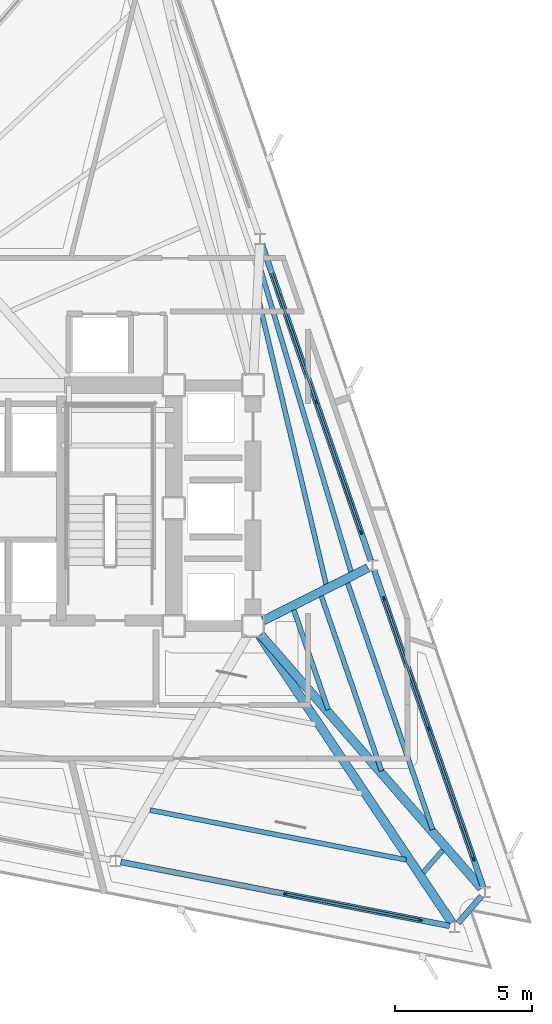
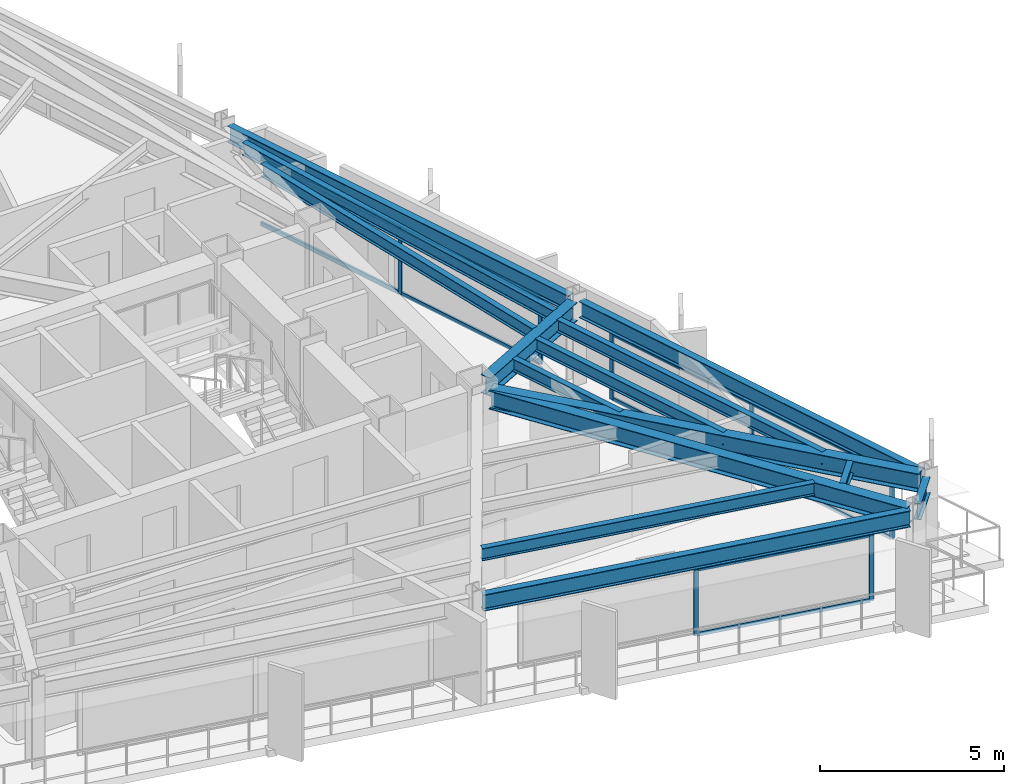
# One storey, part 6 of 13: 17 members, 14 beams, 3 elements without a shape of their own.
"""IFC4 building model written with IfcOpenShell, lengths in metres."""

from ifc_helpers import new_model, si_unit, direction, frame, origin, origin_2d, place, context, subcontext, project, spatial, rectangle, i_section, extrude, material, layer, layer_set, material_profile, profile_set, type_object, element, aggregate, save


model = new_model("IFC4")

# Units and contexts
model_context = context("Model", 3, precision=1e-05, world=origin(), true_north=direction((0.0, 1.0)))
body_context = subcontext(model_context, "Body", "Model", "MODEL_VIEW")
ifc_project = project(units=[si_unit("LENGTHUNIT", "METRE"), si_unit("AREAUNIT", "SQUARE_METRE"), si_unit("VOLUMEUNIT", "CUBIC_METRE"), si_unit("PLANEANGLEUNIT", "RADIAN"), si_unit("MASSUNIT", "GRAM", prefix="KILO")], contexts=[model_context])

# Site, building, storey
site_placement = place(None, origin())
site = spatial("IfcSite", under=ifc_project, at=site_placement, CompositionType="ELEMENT")
building_placement = place(site_placement, origin())
building = spatial("IfcBuilding", under=site, at=building_placement, Name="Rocaltana Carrier Exchange", CompositionType="ELEMENT")
storey_placement = place(building_placement, frame((0.0, 0.0, 153.280029296875)))
storey = spatial("IfcBuildingStorey", under=building, at=storey_placement, Name="L48", CompositionType="ELEMENT", Elevation=153.280029296875)

# Curtain wall, members
ifc_material_1 = material(Name="Aluminium 6063-T6", Category="aluminium")
ifc_layer = layer(ifc_material_1, 0.135009765625)
ifc_layer_set = layer_set([ifc_layer], Name="Aluminium 6063-T6")
curtain_wall_type = type_object("IfcCurtainWallType", Name="Upper-Mid Acoustic Curtain Wall CW-04", PredefinedType="NOTDEFINED", material=ifc_layer_set)
curtain_wall_1_placement = place(storey_placement, origin())
curtain_wall_1 = element("IfcCurtainWall", 1, at=curtain_wall_1_placement, inside=storey, type_object=curtain_wall_type, Name="L48 CW-04 Run CW-L48-F1S1", PredefinedType="NOTDEFINED")
ifc_material_2 = material(Name="Aluminium 6063-T6", Category="aluminium")
ifc_material_profile_1 = material_profile(ifc_material_2, rectangle(XDim=0.06494140625, YDim=0.135009765625, at=origin_2d()), Name="AL-65X135")
ifc_profile_set_1 = profile_set([ifc_material_profile_1], Name="Aluminium 6063-T6")
member_type_1 = type_object("IfcMemberType", Name="CW-04 Mullion AL-65X135", PredefinedType="MULLION", material=ifc_profile_set_1)
member_1_placement = place(storey_placement, frame((17.016357421875, -12.826171875, 0.0), z_axis=(0.0, 0.0, 1.0), x_axis=(-0.945521800517, -0.325558788464, 0.0)))
member_1 = element("IfcMember", 2, at=member_1_placement, type_object=member_type_1, Name="CW-04 mullion 1", PredefinedType="MULLION", context=body_context, shape_type="SweptSolid", body=[
    extrude(rectangle(XDim=0.06494140625, YDim=0.135009765625, at=origin_2d()), origin(), (0.0, 0.0, 1.0), 2.218017578125),
])
member_2_placement = place(storey_placement, frame((15.37744140625, -8.06640625, 0.0), z_axis=(0.0, 0.0, 1.0), x_axis=(-0.945521800517, -0.325558788464, 0.0)))
member_2 = element("IfcMember", 3, at=member_2_placement, type_object=member_type_1, Name="CW-04 mullion 2", PredefinedType="MULLION", context=body_context, shape_type="SweptSolid", body=[
    extrude(rectangle(XDim=0.06494140625, YDim=0.135009765625, at=origin_2d()), origin(), (0.0, 0.0, 1.0), 2.218017578125),
])
member_3_placement = place(storey_placement, frame((13.738525390625, -3.306396484375, 0.0), z_axis=(0.0, 0.0, 1.0), x_axis=(-0.945521800517, -0.325558788464, 0.0)))
member_3 = element("IfcMember", 4, at=member_3_placement, type_object=member_type_1, Name="CW-04 mullion 3", PredefinedType="MULLION", context=body_context, shape_type="SweptSolid", body=[
    extrude(rectangle(XDim=0.06494140625, YDim=0.135009765625, at=origin_2d()), origin(), (0.0, 0.0, 1.0), 2.218017578125),
])

curtain_wall_2_placement = place(storey_placement, origin())
curtain_wall_2 = element("IfcCurtainWall", 5, at=curtain_wall_2_placement, inside=storey, type_object=curtain_wall_type, Name="L48 CW-04 Run CW-L48-F1S2", PredefinedType="NOTDEFINED")
member_4_placement = place(storey_placement, frame((12.9033203125, -0.881103515625, 0.0), z_axis=(0.0, 0.0, 1.0), x_axis=(-0.945520754562, -0.32556182622, 0.0)))
member_4 = element("IfcMember", 6, at=member_4_placement, type_object=member_type_1, Name="CW-04 mullion 1", PredefinedType="MULLION", context=body_context, shape_type="SweptSolid", body=[
    extrude(rectangle(XDim=0.06494140625, YDim=0.135009765625, at=origin_2d()), origin(), (0.0, 0.0, 1.0), 2.218017578125),
])
member_5_placement = place(storey_placement, frame((11.264404296875, 3.878662109375, 0.0), z_axis=(0.0, 0.0, 1.0), x_axis=(-0.945520754562, -0.32556182622, 0.0)))
member_5 = element("IfcMember", 7, at=member_5_placement, type_object=member_type_1, Name="CW-04 mullion 2", PredefinedType="MULLION", context=body_context, shape_type="SweptSolid", body=[
    extrude(rectangle(XDim=0.06494140625, YDim=0.135009765625, at=origin_2d()), origin(), (0.0, 0.0, 1.0), 2.218017578125),
])

curtain_wall_3_placement = place(storey_placement, origin())
curtain_wall_3 = element("IfcCurtainWall", 8, at=curtain_wall_3_placement, inside=storey, type_object=curtain_wall_type, Name="L48 CW-04 Run CW-L48-F3S3", PredefinedType="NOTDEFINED")
member_6_placement = place(storey_placement, frame((10.1279296875, -14.105224609375, 0.0), z_axis=(0.0, 0.0, 1.0), x_axis=(0.190805209699, 0.981627919301, 0.0)))
member_6 = element("IfcMember", 9, at=member_6_placement, type_object=member_type_1, Name="CW-04 mullion 2", PredefinedType="MULLION", context=body_context, shape_type="SweptSolid", body=[
    extrude(rectangle(XDim=0.06494140625, YDim=0.135009765625, at=origin_2d()), origin(), (0.0, 0.0, 1.0), 2.218017578125),
])
member_7_placement = place(storey_placement, frame((15.069580078125, -15.06591796875, 0.0), z_axis=(0.0, 0.0, 1.0), x_axis=(0.190805209699, 0.981627919301, 0.0)))
member_7 = element("IfcMember", 10, at=member_7_placement, type_object=member_type_1, Name="CW-04 mullion 3", PredefinedType="MULLION", context=body_context, shape_type="SweptSolid", body=[
    extrude(rectangle(XDim=0.06494140625, YDim=0.135009765625, at=origin_2d()), origin(), (0.0, 0.0, 1.0), 2.218017578125),
])

# Member
ifc_material_3 = material(Name="Aluminium 6063-T6", Category="aluminium")
ifc_material_profile_2 = material_profile(ifc_material_3, rectangle(XDim=0.06494140625, YDim=0.135009765625, at=origin_2d()), Name="AL-65X135")
ifc_profile_set_2 = profile_set([ifc_material_profile_2], Name="Aluminium 6063-T6")
member_type_2 = type_object("IfcMemberType", Name="CW-04 Transom AL-65X135", PredefinedType="USERDEFINED", material=ifc_profile_set_2)
member_8_placement = place(storey_placement, frame((17.005859375, -12.795654296875, 0.032470703125), z_axis=(-0.325542462737, 0.945527421578, 0.0), x_axis=(-0.945527421578, -0.325542462737, 0.0)))
member_8 = element("IfcMember", 11, at=member_8_placement, type_object=member_type_2, Name="CW-04 transom 1.1", ObjectType="TRANSOM", PredefinedType="USERDEFINED", context=body_context, shape_type="SweptSolid", body=[
    extrude(rectangle(XDim=0.06494140625, YDim=0.135009765625, at=origin_2d()), origin(), (0.0, 0.0, 1.0), 4.96923828125),
])

member_9_placement = place(storey_placement, frame((17.005859375, -12.795654296875, 2.185546875), z_axis=(-0.325542462737, 0.945527421578, 0.0), x_axis=(-0.945527421578, -0.325542462737, 0.0)))
member_9 = element("IfcMember", 12, at=member_9_placement, type_object=member_type_2, Name="CW-04 transom 1.2", ObjectType="TRANSOM", PredefinedType="USERDEFINED", context=body_context, shape_type="SweptSolid", body=[
    extrude(rectangle(XDim=0.06494140625, YDim=0.135009765625, at=origin_2d()), origin(), (0.0, 0.0, 1.0), 4.96923828125),
])

member_10_placement = place(storey_placement, frame((15.366943359375, -8.03564453125, 0.032470703125), z_axis=(-0.325542462737, 0.945527421578, 0.0), x_axis=(-0.945527421578, -0.325542462737, 0.0)))
member_10 = element("IfcMember", 13, at=member_10_placement, type_object=member_type_2, Name="CW-04 transom 2.1", ObjectType="TRANSOM", PredefinedType="USERDEFINED", context=body_context, shape_type="SweptSolid", body=[
    extrude(rectangle(XDim=0.06494140625, YDim=0.135009765625, at=origin_2d()), origin(), (0.0, 0.0, 1.0), 4.96923828125),
])

member_11_placement = place(storey_placement, frame((15.366943359375, -8.03564453125, 2.185546875), z_axis=(-0.325542462737, 0.945527421578, 0.0), x_axis=(-0.945527421578, -0.325542462737, 0.0)))
member_11 = element("IfcMember", 14, at=member_11_placement, type_object=member_type_2, Name="CW-04 transom 2.2", ObjectType="TRANSOM", PredefinedType="USERDEFINED", context=body_context, shape_type="SweptSolid", body=[
    extrude(rectangle(XDim=0.06494140625, YDim=0.135009765625, at=origin_2d()), origin(), (0.0, 0.0, 1.0), 4.96923828125),
])

aggregate(curtain_wall_1, [member_1, member_2, member_3, member_8, member_9, member_10, member_11])

member_12_placement = place(storey_placement, frame((12.892822265625, -0.850341796875, 0.032470703125), z_axis=(-0.325557586399, 0.945522214407, 0.0), x_axis=(-0.945522214407, -0.325557586399, 0.0)))
member_12 = element("IfcMember", 15, at=member_12_placement, type_object=member_type_2, Name="CW-04 transom 1.1", ObjectType="TRANSOM", PredefinedType="USERDEFINED", context=body_context, shape_type="SweptSolid", body=[
    extrude(rectangle(XDim=0.06494140625, YDim=0.135009765625, at=origin_2d()), origin(), (0.0, 0.0, 1.0), 4.968994140625),
])

member_13_placement = place(storey_placement, frame((12.892822265625, -0.850341796875, 2.185546875), z_axis=(-0.325557586399, 0.945522214407, 0.0), x_axis=(-0.945522214407, -0.325557586399, 0.0)))
member_13 = element("IfcMember", 16, at=member_13_placement, type_object=member_type_2, Name="CW-04 transom 1.2", ObjectType="TRANSOM", PredefinedType="USERDEFINED", context=body_context, shape_type="SweptSolid", body=[
    extrude(rectangle(XDim=0.06494140625, YDim=0.135009765625, at=origin_2d()), origin(), (0.0, 0.0, 1.0), 4.968994140625),
])

member_14_placement = place(storey_placement, frame((11.25390625, 3.909423828125, 0.032470703125), z_axis=(-0.325542462737, 0.945527421578, 0.0), x_axis=(-0.945527421578, -0.325542462737, 0.0)))
member_14 = element("IfcMember", 17, at=member_14_placement, type_object=member_type_2, Name="CW-04 transom 2.1", ObjectType="TRANSOM", PredefinedType="USERDEFINED", context=body_context, shape_type="SweptSolid", body=[
    extrude(rectangle(XDim=0.06494140625, YDim=0.135009765625, at=origin_2d()), origin(), (0.0, 0.0, 1.0), 4.96923828125),
])

member_15_placement = place(storey_placement, frame((11.25390625, 3.909423828125, 2.185546875), z_axis=(-0.325542462737, 0.945527421578, 0.0), x_axis=(-0.945527421578, -0.325542462737, 0.0)))
member_15 = element("IfcMember", 18, at=member_15_placement, type_object=member_type_2, Name="CW-04 transom 2.2", ObjectType="TRANSOM", PredefinedType="USERDEFINED", context=body_context, shape_type="SweptSolid", body=[
    extrude(rectangle(XDim=0.06494140625, YDim=0.135009765625, at=origin_2d()), origin(), (0.0, 0.0, 1.0), 4.96923828125),
])

aggregate(curtain_wall_2, [member_4, member_5, member_12, member_13, member_14, member_15])

member_16_placement = place(storey_placement, frame((10.159912109375, -14.111572265625, 0.032470703125), z_axis=(0.981633795462, -0.190774976365, 0.0), x_axis=(0.190774976365, 0.981633795462, 0.0)))
member_16 = element("IfcMember", 19, at=member_16_placement, type_object=member_type_2, Name="CW-04 transom 2.1", ObjectType="TRANSOM", PredefinedType="USERDEFINED", context=body_context, shape_type="SweptSolid", body=[
    extrude(rectangle(XDim=0.06494140625, YDim=0.135009765625, at=origin_2d()), origin(), (0.0, 0.0, 1.0), 4.96923828125),
])

member_17_placement = place(storey_placement, frame((10.159912109375, -14.111572265625, 2.185546875), z_axis=(0.981633795462, -0.190774976365, 0.0), x_axis=(0.190774976365, 0.981633795462, 0.0)))
member_17 = element("IfcMember", 20, at=member_17_placement, type_object=member_type_2, Name="CW-04 transom 2.2", ObjectType="TRANSOM", PredefinedType="USERDEFINED", context=body_context, shape_type="SweptSolid", body=[
    extrude(rectangle(XDim=0.06494140625, YDim=0.135009765625, at=origin_2d()), origin(), (0.0, 0.0, 1.0), 4.96923828125),
])

aggregate(curtain_wall_3, [member_6, member_7, member_16, member_17])

# Beams
ifc_material_4 = material(Name="Steel S355", Category="steel")
ifc_material_profile_3 = material_profile(ifc_material_4, i_section(OverallWidth=0.179931640625, OverallDepth=0.4130859375, WebThickness=0.009765625, FlangeThickness=0.01611328125, FilletRadius=0.012939453125, at=origin_2d()), Name="W16X50")
ifc_profile_set_3 = profile_set([ifc_material_profile_3], Name="Steel S355")
beam_type_1 = type_object("IfcBeamType", Name="Floor Joist W16X50", PredefinedType="JOIST", material=ifc_profile_set_3)
beam_1_placement = place(storey_placement, frame((11.698974609375, -7.3662109375, 2.58154296875), z_axis=(-0.325612206056, 0.94550340627, 0.0), x_axis=(-0.94550340627, -0.325612206056, 0.0)))
element("IfcBeam", 21, at=beam_1_placement, inside=storey, type_object=beam_type_1, Name="FJ-L48-01-1", PredefinedType="JOIST", context=body_context, shape_type="SweptSolid", body=[
    extrude(i_section(OverallWidth=0.179931640625, OverallDepth=0.4130859375, WebThickness=0.009765625, FlangeThickness=0.01611328125, FilletRadius=0.012939453125, at=origin_2d()), origin(), (0.0, 0.0, 1.0), 3.85693359375),
])
beam_2_placement = place(storey_placement, frame((13.650390625, -9.606201171875, 2.58154296875), z_axis=(-0.325591245861, 0.945510624276, 0.0), x_axis=(-0.945510624276, -0.325591245861, 0.0)))
element("IfcBeam", 22, at=beam_2_placement, inside=storey, type_object=beam_type_1, Name="FJ-L48-01-2", PredefinedType="JOIST", context=body_context, shape_type="SweptSolid", body=[
    extrude(i_section(OverallWidth=0.179931640625, OverallDepth=0.4130859375, WebThickness=0.009765625, FlangeThickness=0.01611328125, FilletRadius=0.012939453125, at=origin_2d()), origin(), (0.0, 0.0, 1.0), 6.7626953125),
])
beam_3_placement = place(storey_placement, frame((15.5166015625, -11.748779296875, 2.58154296875), z_axis=(-0.325561689651, 0.945520801586, 0.0), x_axis=(-0.945520801586, -0.325561689651, 0.0)))
element("IfcBeam", 23, at=beam_3_placement, inside=storey, type_object=beam_type_1, Name="FJ-L48-01-3", PredefinedType="JOIST", context=body_context, shape_type="SweptSolid", body=[
    extrude(i_section(OverallWidth=0.179931640625, OverallDepth=0.4130859375, WebThickness=0.009765625, FlangeThickness=0.01611328125, FilletRadius=0.012939453125, at=origin_2d()), origin(), (0.0, 0.0, 1.0), 9.541748046875),
])
beam_4_placement = place(storey_placement, frame((11.6240234375, -2.780517578125, 2.58154296875), z_axis=(-0.230805777183, 0.972999842353, 0.0), x_axis=(-0.972999842353, -0.230805777183, 0.0)))
element("IfcBeam", 24, at=beam_4_placement, inside=storey, type_object=beam_type_1, Name="FJ-L48-02-2", PredefinedType="JOIST", context=body_context, shape_type="SweptSolid", body=[
    extrude(i_section(OverallWidth=0.179931640625, OverallDepth=0.4130859375, WebThickness=0.009765625, FlangeThickness=0.01611328125, FilletRadius=0.012939453125, at=origin_2d()), origin(), (0.0, 0.0, 1.0), 10.736328125),
])
beam_5_placement = place(storey_placement, frame((12.533203125, -2.3193359375, 2.58154296875), z_axis=(-0.286621662233, 0.9580438522, 0.0), x_axis=(-0.9580438522, -0.286621662233, 0.0)))
element("IfcBeam", 25, at=beam_5_placement, inside=storey, type_object=beam_type_1, Name="FJ-L48-02-3", PredefinedType="JOIST", context=body_context, shape_type="SweptSolid", body=[
    extrude(i_section(OverallWidth=0.179931640625, OverallDepth=0.4130859375, WebThickness=0.009765625, FlangeThickness=0.01611328125, FilletRadius=0.012939453125, at=origin_2d()), origin(), (0.0, 0.0, 1.0), 11.597900390625),
])
beam_6_placement = place(storey_placement, frame((5.185546875, -11.037841796875, 2.58154296875), z_axis=(0.981630034489, -0.190794327456, 0.0), x_axis=(0.190794327456, 0.981630034489, 0.0)))
element("IfcBeam", 26, at=beam_6_placement, inside=storey, type_object=beam_type_1, Name="FJ-L48-11-3", PredefinedType="JOIST", context=body_context, shape_type="SweptSolid", body=[
    extrude(i_section(OverallWidth=0.179931640625, OverallDepth=0.4130859375, WebThickness=0.009765625, FlangeThickness=0.01611328125, FilletRadius=0.012939453125, at=origin_2d()), origin(), (0.0, 0.0, 1.0), 9.5419921875),
])
beam_7_placement = place(storey_placement, frame((15.176513671875, -13.321044921875, 2.58154296875), z_axis=(0.65606745581, 0.754702254817, 0.0), x_axis=(-0.754702254817, 0.65606745581, 0.0)))
element("IfcBeam", 27, at=beam_7_placement, inside=storey, type_object=beam_type_1, Name="FJ-L48-12-3", PredefinedType="JOIST", context=body_context, shape_type="SweptSolid", body=[
    extrude(i_section(OverallWidth=0.179931640625, OverallDepth=0.4130859375, WebThickness=0.009765625, FlangeThickness=0.01611328125, FilletRadius=0.012939453125, at=origin_2d()), origin(), (0.0, 0.0, 1.0), 1.086669921875),
])
ifc_material_5 = material(Name="Steel S355", Category="steel")
ifc_material_profile_4 = material_profile(ifc_material_5, i_section(OverallWidth=0.323974609375, OverallDepth=0.611083984375, WebThickness=0.0126953125, FlangeThickness=0.01904296875, FilletRadius=0.01611328125, at=origin_2d()), Name="W24X104")
ifc_profile_set_4 = profile_set([ifc_material_profile_4], Name="Steel S355")
beam_type_2 = type_object("IfcBeamType", Name="Radial Girder W24X104", PredefinedType="BEAM", material=ifc_profile_set_4)
beam_8_placement = place(storey_placement, frame((9.223876953125, -4.614501953125, 2.482421875), z_axis=(0.656855698811, -0.754016306813, 0.0), x_axis=(0.754016306813, 0.656855698811, 0.0)))
element("IfcBeam", 28, at=beam_8_placement, inside=storey, type_object=beam_type_2, Name="RG-L48-01", PredefinedType="BEAM", context=body_context, shape_type="SweptSolid", body=[
    extrude(i_section(OverallWidth=0.323974609375, OverallDepth=0.611083984375, WebThickness=0.0126953125, FlangeThickness=0.01904296875, FilletRadius=0.01611328125, at=origin_2d()), origin(), (0.0, 0.0, 1.0), 12.307373046875),
])
beam_9_placement = place(storey_placement, frame((9.322265625, -4.112060546875, 2.482421875), z_axis=(0.892735357943, 0.45058138075, 0.0), x_axis=(-0.45058138075, 0.892735357943, 0.0)))
element("IfcBeam", 29, at=beam_9_placement, inside=storey, type_object=beam_type_2, Name="RG-L48-02", PredefinedType="BEAM", context=body_context, shape_type="SweptSolid", body=[
    extrude(i_section(OverallWidth=0.323974609375, OverallDepth=0.611083984375, WebThickness=0.0126953125, FlangeThickness=0.01904296875, FilletRadius=0.01611328125, at=origin_2d()), origin(), (0.0, 0.0, 1.0), 4.28759765625),
])
beam_10_placement = place(storey_placement, frame((9.18212890625, -4.646484375, 2.482421875), z_axis=(0.556699029472, -0.830714265307, 0.0), x_axis=(0.830714265307, 0.556699029472, 0.0)))
element("IfcBeam", 30, at=beam_10_placement, inside=storey, type_object=beam_type_2, Name="RG-L48-12", PredefinedType="BEAM", context=body_context, shape_type="SweptSolid", body=[
    extrude(i_section(OverallWidth=0.323974609375, OverallDepth=0.611083984375, WebThickness=0.0126953125, FlangeThickness=0.01904296875, FilletRadius=0.01611328125, at=origin_2d()), origin(), (0.0, 0.0, 1.0), 12.6455078125),
])
ifc_material_6 = material(Name="Steel S355", Category="steel")
ifc_material_profile_5 = material_profile(ifc_material_6, i_section(OverallWidth=0.2119140625, OverallDepth=0.5439453125, WebThickness=0.01318359375, FlangeThickness=0.021240234375, FilletRadius=0.014892578125, at=origin_2d()), Name="W21X83")
ifc_profile_set_5 = profile_set([ifc_material_profile_5], Name="Steel S355")
beam_type_3 = type_object("IfcBeamType", Name="Spandrel Edge Beam W21X83", PredefinedType="SPANDREL", material=ifc_profile_set_5)
beam_11_placement = place(storey_placement, frame((17.37158203125, -13.85791015625, 2.515869140625), z_axis=(-0.325563178489, 0.945520288948, 0.0), x_axis=(-0.945520288948, -0.325563178489, 0.0)))
element("IfcBeam", 31, at=beam_11_placement, inside=storey, type_object=beam_type_3, Name="SP-L48-01", PredefinedType="SPANDREL", context=body_context, shape_type="SweptSolid", body=[
    extrude(i_section(OverallWidth=0.2119140625, OverallDepth=0.5439453125, WebThickness=0.01318359375, FlangeThickness=0.021240234375, FilletRadius=0.014892578125, at=origin_2d()), origin(), (0.0, 0.0, 1.0), 12.25048828125),
])
for number, where, z_axis, x_axis, name in (
    (32, (13.2587890625, -1.91259765625, 2.515869140625), (-0.325587130278, 0.945512041487, 0.0), (-0.945512041487, -0.325587130278, 0.0), "SP-L48-02"),
    (33, (4.115478515625, -12.9365234375, 2.515869140625), (0.981627937951, -0.190805113754, 0.0), (0.190805113754, 0.981627937951, 0.0), "SP-L48-11"),
):
    element("IfcBeam", number, at=place(storey_placement, frame(where, z_axis=z_axis, x_axis=x_axis)), inside=storey, type_object=beam_type_3, Name=name, PredefinedType="SPANDREL", context=body_context, shape_type="SweptSolid", body=[
        extrude(i_section(OverallWidth=0.2119140625, OverallDepth=0.5439453125, WebThickness=0.01318359375, FlangeThickness=0.021240234375, FilletRadius=0.014892578125, at=origin_2d()), origin(), (0.0, 0.0, 1.0), 12.250244140625),
    ])
beam_12_placement = place(storey_placement, frame((16.4541015625, -15.166015625, 2.515869140625), z_axis=(0.65607193879, 0.754698357711, 0.0), x_axis=(-0.754698357711, 0.65607193879, 0.0)))
element("IfcBeam", 34, at=beam_12_placement, inside=storey, type_object=beam_type_3, Name="SP-L48-12", PredefinedType="SPANDREL", context=body_context, shape_type="SweptSolid", body=[
    extrude(i_section(OverallWidth=0.2119140625, OverallDepth=0.5439453125, WebThickness=0.01318359375, FlangeThickness=0.021240234375, FilletRadius=0.014892578125, at=origin_2d()), origin(), (0.0, 0.0, 1.0), 1.302001953125),
])

save(model, "model.ifc")
